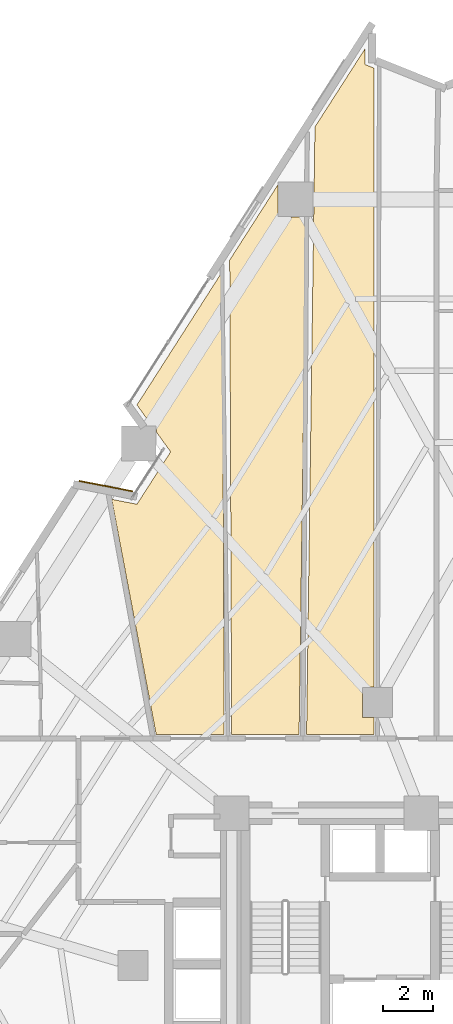
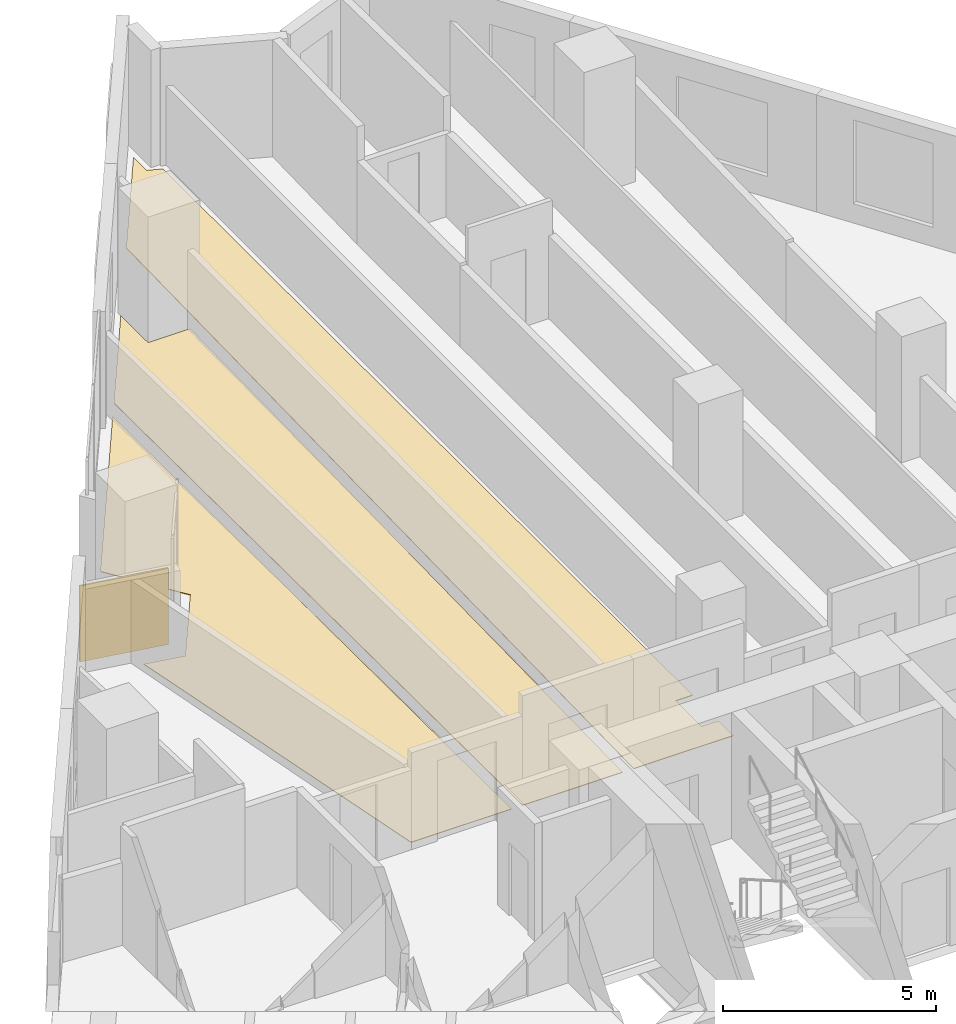
# One storey, part 13 of 15: 4 coverings.
"""IFC4 building model written with IfcOpenShell, lengths in metres."""

from ifc_helpers import new_model, si_unit, direction, frame, origin, origin_2d, place, context, subcontext, project, spatial, polyline, rectangle, outline, extrude, material, layer, layer_set, type_object, element, save


model = new_model("IFC4")

# Units and contexts
model_context = context("Model", 3, precision=1e-05, world=origin(), true_north=direction((0.0, 1.0)))
body_context = subcontext(model_context, "Body", "Model", "MODEL_VIEW")
ifc_project = project(units=[si_unit("LENGTHUNIT", "METRE"), si_unit("AREAUNIT", "SQUARE_METRE"), si_unit("VOLUMEUNIT", "CUBIC_METRE"), si_unit("PLANEANGLEUNIT", "RADIAN"), si_unit("MASSUNIT", "GRAM", prefix="KILO")], contexts=[model_context])

# Site, building, storey
site_placement = place(None, origin())
site = spatial("IfcSite", under=ifc_project, at=site_placement, CompositionType="ELEMENT")
building_placement = place(site_placement, origin())
building = spatial("IfcBuilding", under=site, at=building_placement, Name="Almagre Mirador Tower", CompositionType="ELEMENT")
storey_placement = place(building_placement, frame((0.0, 0.0, 39.0)))
storey = spatial("IfcBuildingStorey", under=building, at=storey_placement, Name="L08", CompositionType="ELEMENT", Elevation=39.0)

# Coverings
ifc_material_1 = material(Name="Almagre terracotta architectural cladding", Category="masonry")
ifc_layer_1 = layer(ifc_material_1, 0.044921875)
ifc_layer_set_1 = layer_set([ifc_layer_1], Name="Almagre terracotta architectural cladding")
covering_type_1 = type_object("IfcCoveringType", Name="COV-CLAD-ALMAGRE", PredefinedType="CLADDING", material=ifc_layer_set_1)
covering_1_placement = place(storey_placement, frame((22.50634765625, 27.869384765625, 0.10009765625), z_axis=(0.0, 0.0, 1.0), x_axis=(0.981746878502, -0.190192183203, 0.0)))
element("IfcCovering", 1, at=covering_1_placement, inside=storey, type_object=covering_type_1, Name="L08 almagre terracotta pier cladding", PredefinedType="CLADDING", context=body_context, shape_type="SweptSolid", body=[
    extrude(rectangle(XDim=2.193115234375, YDim=0.044921875, at=origin_2d()), origin(), (0.0, 0.0, 1.0), 2.175048828125),
])
ifc_material_2 = material(Name="Engineered white oak flooring", Category="wood")
ifc_layer_2 = layer(ifc_material_2, 0.01806640625)
ifc_layer_set_2 = layer_set([ifc_layer_2], Name="Engineered white oak flooring")
covering_type_2 = type_object("IfcCoveringType", Name="COV-FLR-OAK-18", PredefinedType="FLOORING", material=ifc_layer_set_2)
covering_2_placement = place(storey_placement, origin())
element("IfcCovering", 2, at=covering_2_placement, inside=storey, type_object=covering_type_2, Name="L08 L08 Residents Reading Gallery H finish flooring", PredefinedType="FLOORING", context=body_context, shape_type="SweptSolid", body=[
    extrude(outline(polyline([(24.52392578125, 17.89990234375), (22.739013671875, 27.340087890625), (23.7509765625, 27.14306640625), (25.10107421875, 29.2451171875), (24.527099609375, 30.0439453125), (24.527099609375, 30.278076171875), (24.35888671875, 30.278076171875), (23.7509765625, 31.125), (27.172119140625, 36.470947265625), (27.2490234375, 17.89990234375), (24.52392578125, 17.89990234375)])), origin(), (0.0, 0.0, 1.0), 0.01806640625),
])
covering_3_placement = place(storey_placement, origin())
element("IfcCovering", 3, at=covering_3_placement, inside=storey, type_object=covering_type_2, Name="L08 L08 Residents Reading Gallery K finish flooring", PredefinedType="FLOORING", context=body_context, shape_type="SweptSolid", body=[
    extrude(outline(polyline([(27.469970703125, 36.93603515625), (29.39697265625, 39.945068359375), (29.39697265625, 38.66796875), (30.5390625, 38.66796875), (30.251953125, 17.89990234375), (27.549072265625, 17.89990234375), (27.469970703125, 36.93603515625)])), origin(), (0.0, 0.0, 1.0), 0.01806640625),
])
covering_4_placement = place(storey_placement, origin())
element("IfcCovering", 4, at=covering_4_placement, inside=storey, type_object=covering_type_2, Name="L08 L08 Residents Reading Gallery L finish flooring", PredefinedType="FLOORING", context=body_context, shape_type="SweptSolid", body=[
    extrude(outline(polyline([(33.25, 44.636962890625), (33.25, 19.804931640625), (32.794921875, 19.804931640625), (32.794921875, 18.594970703125), (33.25, 18.594970703125), (33.25, 17.89990234375), (30.552001953125, 17.89990234375), (30.888916015625, 42.27490234375), (32.889892578125, 45.39794921875), (32.889892578125, 44.777099609375), (33.25, 44.636962890625)])), origin(), (0.0, 0.0, 1.0), 0.01806640625),
])

save(model, "model.ifc")
